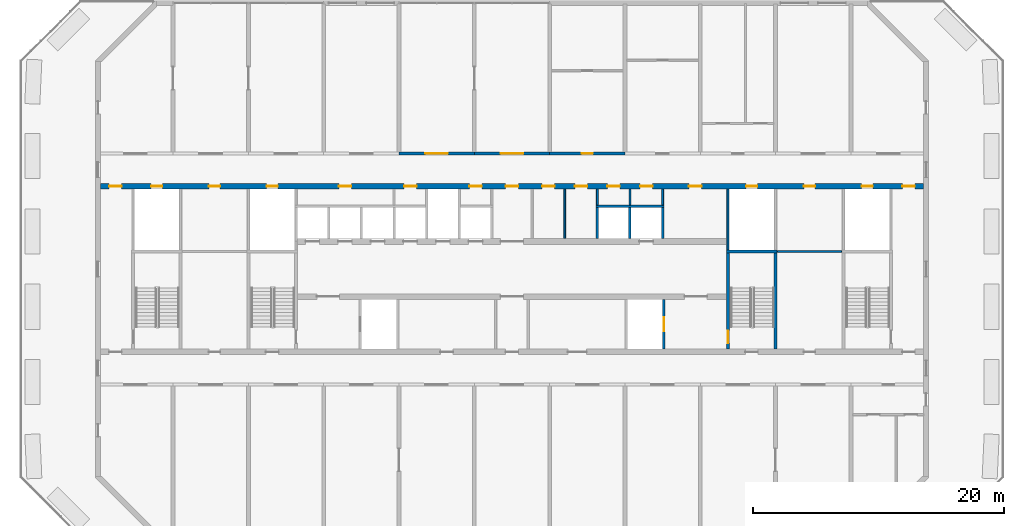
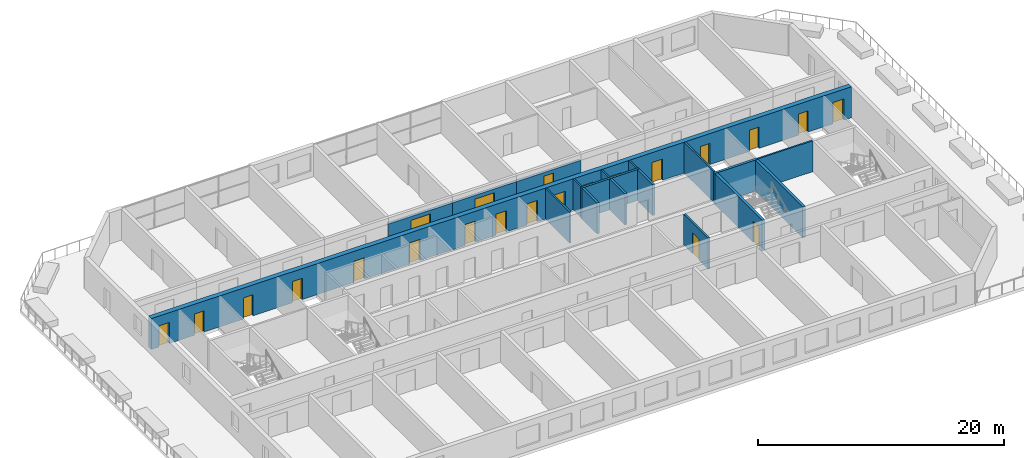
# One storey, part 7 of 14: 22 doors, 18 walls, 22 openings.
"""IFC4 building model written with IfcOpenShell, lengths in metres."""

from ifc_helpers import new_model, si_unit, direction, frame, frame_2d, origin, place, context, subcontext, project, spatial, rectangle, extrude, material, layer, layer_set, type_object, element, fill, save


model = new_model("IFC4")

# Units and contexts
model_context = context("Model", 3, precision=1e-05, world=origin(), true_north=direction((0.0, 1.0)))
body_context = subcontext(model_context, "Body", "Model", "MODEL_VIEW")
ifc_project = project(units=[si_unit("LENGTHUNIT", "METRE"), si_unit("AREAUNIT", "SQUARE_METRE"), si_unit("VOLUMEUNIT", "CUBIC_METRE"), si_unit("PLANEANGLEUNIT", "RADIAN"), si_unit("MASSUNIT", "GRAM", prefix="KILO")], contexts=[model_context])

# Site, building, storey
site_placement = place(None, origin())
site = spatial("IfcSite", under=ifc_project, at=site_placement, CompositionType="ELEMENT")
building_placement = place(site_placement, origin())
building = spatial("IfcBuilding", under=site, at=building_placement, Name="Poui Terraces", CompositionType="ELEMENT")
storey_placement = place(building_placement, frame((0.0, 0.0, 158.699951171875)))
storey = spatial("IfcBuildingStorey", under=building, at=storey_placement, Name="L44", CompositionType="ELEMENT", Elevation=158.699951171875)

# Wall, opening, door
ifc_material_1 = material(Name="Concrete 65 MPa", Category="concrete")
ifc_layer_1 = layer(ifc_material_1, 0.25)
ifc_layer_set_1 = layer_set([ifc_layer_1], Name="Concrete 65 MPa")
wall_type_1 = type_object("IfcWallType", Name="CORRIDOR WALL 250 65MPa", PredefinedType="SHEAR", material=ifc_layer_set_1)
wall_1_placement = place(storey_placement, frame((42.0, 30.39990234375, 0.0), z_axis=(0.0, 0.0, 1.0), x_axis=(1.0, 0.0, 0.0)))
wall_1 = element("IfcWall", 1, at=wall_1_placement, inside=storey, type_object=wall_type_1, Name="CORRIDOR WALL LINE E BAY 5", PredefinedType="SHEAR", context=body_context, shape_type="SweptSolid", body=[
    extrude(rectangle(XDim=6.0, YDim=0.25, at=frame_2d((3.0, 0.0))), origin(), (0.0, 0.0, 1.0), 2.469970703125),
])
opening_1_placement = place(wall_1_placement, frame((2.10009765625, 0.0, 0.0)))
opening_1 = element("IfcOpeningElement", 2, at=opening_1_placement, cuts=wall_1, Name="Opening DD180", PredefinedType="OPENING", context=body_context, shape_type="SweptSolid", body=[
    extrude(rectangle(XDim=1.800048828125, YDim=2.10009765625, at=frame_2d((0.89990234375, 1.050048828125))), frame((0.0, 0.135009765625, 0.0), z_axis=(0.0, -1.0, 0.0), x_axis=(1.0, 0.0, 0.0)), (0.0, 0.0, 1.0), 0.27001953125),
])
ifc_material_2 = material(Name="Steel fire door", Category="steel")
door_type_1 = type_object("IfcDoorType", Name="DOUBLE INTERNAL DOOR 1800 X 2100", OperationType="DOUBLE_DOOR_SINGLE_SWING", PredefinedType="DOOR", material=ifc_material_2)
door_1_placement = place(opening_1_placement, frame((1.800048828125, 0.0, 0.0), z_axis=(0.0, 0.0, 1.0), x_axis=(-1.0, 0.0, 0.0)))
door_1 = element("IfcDoor", 3, at=door_1_placement, inside=storey, type_object=door_type_1, Name="DOUBLE INTERNAL DOOR 011", OperationType="DOUBLE_DOOR_SINGLE_SWING", OverallHeight=2.10009765625, OverallWidth=1.800048828125, PredefinedType="DOOR", context=body_context, shape_type="SweptSolid", body=[
    extrude(rectangle(XDim=1.800048828125, YDim=2.10009765625, at=frame_2d((0.89990234375, 1.050048828125))), frame((0.0, 0.02490234375, 0.0), z_axis=(0.0, -1.0, 0.0), x_axis=(1.0, 0.0, 0.0)), (0.0, 0.0, 1.0), 0.050048828125),
])
fill(opening_1, door_1)

wall_2_placement = place(storey_placement, frame((48.0, 30.39990234375, 0.0), z_axis=(0.0, 0.0, 1.0), x_axis=(1.0, 0.0, 0.0)))
wall_2 = element("IfcWall", 4, at=wall_2_placement, inside=storey, type_object=wall_type_1, Name="CORRIDOR WALL LINE E BAY 6", PredefinedType="SHEAR", context=body_context, shape_type="SweptSolid", body=[
    extrude(rectangle(XDim=6.0, YDim=0.25, at=frame_2d((3.0, 0.0))), origin(), (0.0, 0.0, 1.0), 2.469970703125),
])
opening_2_placement = place(wall_2_placement, frame((2.10009765625, 0.0, 0.0)))
opening_2 = element("IfcOpeningElement", 5, at=opening_2_placement, cuts=wall_2, Name="Opening DD180", PredefinedType="OPENING", context=body_context, shape_type="SweptSolid", body=[
    extrude(rectangle(XDim=1.800048828125, YDim=2.10009765625, at=frame_2d((0.89990234375, 1.050048828125))), frame((0.0, 0.135009765625, 0.0), z_axis=(0.0, -1.0, 0.0), x_axis=(1.0, 0.0, 0.0)), (0.0, 0.0, 1.0), 0.27001953125),
])
door_2_placement = place(opening_2_placement, frame((1.800048828125, 0.0, 0.0), z_axis=(0.0, 0.0, 1.0), x_axis=(-1.0, 0.0, 0.0)))
door_2 = element("IfcDoor", 6, at=door_2_placement, inside=storey, type_object=door_type_1, Name="DOUBLE INTERNAL DOOR 014", OperationType="DOUBLE_DOOR_SINGLE_SWING", OverallHeight=2.10009765625, OverallWidth=1.800048828125, PredefinedType="DOOR", context=body_context, shape_type="SweptSolid", body=[
    extrude(rectangle(XDim=1.800048828125, YDim=2.10009765625, at=frame_2d((0.89990234375, 1.050048828125))), frame((0.0, 0.02490234375, 0.0), z_axis=(0.0, -1.0, 0.0), x_axis=(1.0, 0.0, 0.0)), (0.0, 0.0, 1.0), 0.050048828125),
])
fill(opening_2, door_2)

wall_3_placement = place(storey_placement, frame((54.0, 30.39990234375, 0.0), z_axis=(0.0, 0.0, 1.0), x_axis=(1.0, 0.0, 0.0)))
wall_3 = element("IfcWall", 7, at=wall_3_placement, inside=storey, type_object=wall_type_1, Name="CORRIDOR WALL LINE E BAY 7", PredefinedType="SHEAR", context=body_context, shape_type="SweptSolid", body=[
    extrude(rectangle(XDim=6.0, YDim=0.25, at=frame_2d((3.0, 0.0))), origin(), (0.0, 0.0, 1.0), 2.469970703125),
])
opening_3_placement = place(wall_3_placement, frame((2.550048828125, 0.0, 0.0)))
opening_3 = element("IfcOpeningElement", 8, at=opening_3_placement, cuts=wall_3, Name="Opening D90", PredefinedType="OPENING", context=body_context, shape_type="SweptSolid", body=[
    extrude(rectangle(XDim=0.89990234375, YDim=2.10009765625, at=frame_2d((0.449951171875, 1.050048828125))), frame((0.0, 0.135009765625, 0.0), z_axis=(0.0, -1.0, 0.0), x_axis=(1.0, 0.0, 0.0)), (0.0, 0.0, 1.0), 0.27001953125),
])
ifc_material_3 = material(Name="Solid core timber door", Category="wood")
door_type_2 = type_object("IfcDoorType", Name="INTERNAL DOOR 900 X 2100", OperationType="NOTDEFINED", PredefinedType="DOOR", material=ifc_material_3)
door_3_placement = place(opening_3_placement, frame((0.89990234375, 0.0, 0.0), z_axis=(0.0, 0.0, 1.0), x_axis=(-1.0, 0.0, 0.0)))
door_3 = element("IfcDoor", 9, at=door_3_placement, inside=storey, type_object=door_type_2, Name="INTERNAL DOOR 017", OperationType="SINGLE_SWING_RIGHT", OverallHeight=2.10009765625, OverallWidth=0.89990234375, PredefinedType="DOOR", context=body_context, shape_type="SweptSolid", body=[
    extrude(rectangle(XDim=0.89990234375, YDim=2.10009765625, at=frame_2d((0.449951171875, 1.050048828125))), frame((0.0, 0.02490234375, 0.0), z_axis=(0.0, -1.0, 0.0), x_axis=(1.0, 0.0, 0.0)), (0.0, 0.0, 1.0), 0.050048828125),
])
fill(opening_3, door_3)

# Walls
ifc_material_4 = material(Name="Plasterboard partition")
ifc_layer_2 = layer(ifc_material_4, 0.14990234375)
ifc_layer_set_2 = layer_set([ifc_layer_2], Name="Plasterboard partition")
wall_type_2 = type_object("IfcWallType", Name="PARTITION WALL 150", PredefinedType="PARTITIONING", material=ifc_layer_set_2)
wall_4_placement = place(storey_placement, frame((72.135009765625, 22.60009765625, 0.0), z_axis=(0.0, 0.0, 1.0), x_axis=(1.0, 0.0, 0.0)))
element("IfcWall", 10, at=wall_4_placement, inside=storey, type_object=wall_type_2, Name="PARTITION WALL 150", PredefinedType="PARTITIONING", context=body_context, shape_type="SweptSolid", body=[
    extrude(rectangle(XDim=5.1298828125, YDim=0.14990234375, at=frame_2d((2.56494140625, 0.0))), origin(), (0.0, 0.0, 1.0), 3.070068359375),
])
wall_5_placement = place(storey_placement, frame((55.199951171875, 23.635009765625, 0.0), z_axis=(0.0, 0.0, 1.0), x_axis=(0.0, 1.0, 0.0)))
element("IfcWall", 11, at=wall_5_placement, inside=storey, type_object=wall_type_2, Name="PARTITION WALL 150", PredefinedType="PARTITIONING", context=body_context, shape_type="SweptSolid", body=[
    extrude(rectangle(XDim=3.929931640625, YDim=0.14990234375, at=frame_2d((1.96484375, 0.0))), origin(), (0.0, 0.0, 1.0), 3.070068359375),
])
for number, where, z_axis, x_axis, name in (
    (12, (57.800048828125, 26.300048828125, 0.0), (0.0, 0.0, 1.0), (0.0, 1.0, 0.0), "PARTITION WALL 150"),
    (13, (60.39990234375, 26.300048828125, 0.0), (0.0, 0.0, 1.0), (0.0, 1.0, 0.0), "PARTITION WALL 150"),
    (14, (63.0, 26.300048828125, 0.0), (0.0, 0.0, 1.0), (0.0, 1.0, 0.0), "PARTITION WALL 150"),
):
    element("IfcWall", number, at=place(storey_placement, frame(where, z_axis=z_axis, x_axis=x_axis)), inside=storey, type_object=wall_type_2, Name=name, PredefinedType="PARTITIONING", context=body_context, shape_type="SweptSolid", body=[
        extrude(rectangle(XDim=1.264892578125, YDim=0.14990234375, at=frame_2d((0.63232421875, 0.0))), origin(), (0.0, 0.0, 1.0), 3.070068359375),
    ])
ifc_material_5 = material(Name="Fire-rated plasterboard riser wall")
ifc_layer_3 = layer(ifc_material_5, 0.14990234375)
ifc_layer_set_3 = layer_set([ifc_layer_3], Name="Fire-rated plasterboard riser wall")
wall_type_3 = type_object("IfcWallType", Name="RISER WALL 150", PredefinedType="PARTITIONING", material=ifc_layer_set_3)
wall_6_placement = place(storey_placement, frame((68.199951171875, 22.735107421875, 0.0), z_axis=(0.0, 0.0, 1.0), x_axis=(0.0, 1.0, 0.0)))
element("IfcWall", 15, at=wall_6_placement, inside=storey, type_object=wall_type_3, Name="RISER WALL 150", PredefinedType="PARTITIONING", context=body_context, shape_type="SweptSolid", body=[
    extrude(rectangle(XDim=4.829833984375, YDim=0.14990234375, at=frame_2d((2.4150390625, 0.0))), origin(), (0.0, 0.0, 1.0), 3.070068359375),
])
ifc_material_6 = material(Name="Fire-rated masonry shaft wall", Category="masonry")
ifc_layer_4 = layer(ifc_material_6, 0.199951171875)
ifc_layer_set_4 = layer_set([ifc_layer_4], Name="Fire-rated masonry shaft wall")
wall_type_4 = type_object("IfcWallType", Name="SHAFT WALL 200", PredefinedType="PARTITIONING", material=ifc_layer_set_4)
wall_7_placement = place(storey_placement, frame((57.699951171875, 26.199951171875, 0.0), z_axis=(0.0, 0.0, 1.0), x_axis=(1.0, 0.0, 0.0)))
element("IfcWall", 16, at=wall_7_placement, inside=storey, type_object=wall_type_4, Name="SHAFT WALL 200", PredefinedType="PARTITIONING", context=body_context, shape_type="SweptSolid", body=[
    extrude(rectangle(XDim=5.400146484375, YDim=0.199951171875, at=frame_2d((2.7001953125, 0.0))), origin(), (0.0, 0.0, 1.0), 3.070068359375),
])
for number, where, z_axis, x_axis, name in (
    (17, (57.800048828125, 23.635009765625, 0.0), (0.0, 0.0, 1.0), (0.0, 1.0, 0.0), "SHAFT WALL 200"),
    (18, (60.39990234375, 23.635009765625, 0.0), (0.0, 0.0, 1.0), (0.0, 1.0, 0.0), "SHAFT WALL 200"),
    (19, (63.0, 23.635009765625, 0.0), (0.0, 0.0, 1.0), (0.0, 1.0, 0.0), "SHAFT WALL 200"),
):
    element("IfcWall", number, at=place(storey_placement, frame(where, z_axis=z_axis, x_axis=x_axis)), inside=storey, type_object=wall_type_4, Name=name, PredefinedType="PARTITIONING", context=body_context, shape_type="SweptSolid", body=[
        extrude(rectangle(XDim=2.465087890625, YDim=0.199951171875, at=frame_2d((1.232421875, 0.0))), origin(), (0.0, 0.0, 1.0), 3.070068359375),
    ])

# Wall, opening, door
wall_8_placement = place(storey_placement, frame((63.10009765625, 14.8349609375, 0.0), z_axis=(0.0, 0.0, 1.0), x_axis=(0.0, 1.0, 0.0)))
wall_8 = element("IfcWall", 20, at=wall_8_placement, inside=storey, type_object=wall_type_4, Name="SHAFT WALL 200", PredefinedType="PARTITIONING", context=body_context, shape_type="SweptSolid", body=[
    extrude(rectangle(XDim=3.929931640625, YDim=0.199951171875, at=frame_2d((1.96484375, 0.0))), origin(), (0.0, 0.0, 1.0), 3.070068359375),
])
opening_4_placement = place(wall_8_placement, frame((1.4150390625, 0.0, 0.0)))
opening_4 = element("IfcOpeningElement", 21, at=opening_4_placement, cuts=wall_8, Name="Opening LD", PredefinedType="OPENING", context=body_context, shape_type="SweptSolid", body=[
    extrude(rectangle(XDim=1.10009765625, YDim=2.10009765625, at=frame_2d((0.550048828125, 1.050048828125))), frame((0.0, 0.10986328125, 0.0), z_axis=(0.0, -1.0, 0.0), x_axis=(1.0, 0.0, 0.0)), (0.0, 0.0, 1.0), 0.219970703125),
])
ifc_material_7 = material(Name="Stainless steel sliding door", Category="steel")
door_type_3 = type_object("IfcDoorType", Name="LIFT LANDING DOOR 1100 X 2100", OperationType="DOUBLE_DOOR_SLIDING", PredefinedType="DOOR", material=ifc_material_7)
door_4_placement = place(opening_4_placement, origin())
door_4 = element("IfcDoor", 22, at=door_4_placement, inside=storey, type_object=door_type_3, Name="LANDING DOOR", OperationType="DOUBLE_DOOR_SLIDING", OverallHeight=2.10009765625, OverallWidth=1.10009765625, PredefinedType="DOOR", context=body_context, shape_type="SweptSolid", body=[
    extrude(rectangle(XDim=1.10009765625, YDim=2.10009765625, at=frame_2d((0.550048828125, 1.050048828125))), frame((0.0, 0.02490234375, 0.0), z_axis=(0.0, -1.0, 0.0), x_axis=(1.0, 0.0, 0.0)), (0.0, 0.0, 1.0), 0.050048828125),
])
fill(opening_4, door_4)

# Wall, openings, doors
ifc_layer_5 = layer(ifc_material_1, 0.449951171875)
ifc_layer_set_5 = layer_set([ifc_layer_5], Name="Concrete 65 MPa")
wall_type_5 = type_object("IfcWallType", Name="SPINE WALL 450 65 MPA", PredefinedType="SOLIDWALL", material=ifc_layer_set_5)
wall_9_placement = place(storey_placement, frame((18.199951171875, 27.800048828125, 0.0), z_axis=(0.0, 0.0, 1.0), x_axis=(1.0, 0.0, 0.0)))
wall_9 = element("IfcWall", 23, at=wall_9_placement, inside=storey, type_object=wall_type_5, Name="SPINE WALL", PredefinedType="SOLIDWALL", context=body_context, shape_type="SweptSolid", body=[
    extrude(rectangle(XDim=65.60009765625, YDim=0.449951171875, at=frame_2d((32.800048828125, 0.0))), origin(), (0.0, 0.0, 1.0), 3.070068359375),
])
opening_5_placement = place(wall_9_placement, frame((0.699951171875, 0.0, 0.0)))
opening_5 = element("IfcOpeningElement", 24, at=opening_5_placement, cuts=wall_9, Name="Opening FDL", PredefinedType="OPENING", context=body_context, shape_type="SweptSolid", body=[
    extrude(rectangle(XDim=1.0, YDim=2.10009765625, at=frame_2d((0.5, 1.050048828125))), frame((0.0, 0.23486328125, 0.0), z_axis=(0.0, -1.0, 0.0), x_axis=(1.0, 0.0, 0.0)), (0.0, 0.0, 1.0), 0.469970703125),
])
opening_6_placement = place(wall_9_placement, frame((4.050048828125, 0.0, 0.0)))
opening_6 = element("IfcOpeningElement", 25, at=opening_6_placement, cuts=wall_9, Name="Opening FDR", PredefinedType="OPENING", context=body_context, shape_type="SweptSolid", body=[
    extrude(rectangle(XDim=0.89990234375, YDim=2.10009765625, at=frame_2d((0.449951171875, 1.050048828125))), frame((0.0, 0.23486328125, 0.0), z_axis=(0.0, -1.0, 0.0), x_axis=(1.0, 0.0, 0.0)), (0.0, 0.0, 1.0), 0.469970703125),
])
opening_7_placement = place(wall_9_placement, frame((8.64990234375, 0.0, 0.0)))
opening_7 = element("IfcOpeningElement", 26, at=opening_7_placement, cuts=wall_9, Name="Opening D90", PredefinedType="OPENING", context=body_context, shape_type="SweptSolid", body=[
    extrude(rectangle(XDim=0.89990234375, YDim=2.10009765625, at=frame_2d((0.449951171875, 1.050048828125))), frame((0.0, 0.23486328125, 0.0), z_axis=(0.0, -1.0, 0.0), x_axis=(1.0, 0.0, 0.0)), (0.0, 0.0, 1.0), 0.469970703125),
])
opening_8_placement = place(wall_9_placement, frame((13.25, 0.0, 0.0)))
opening_8 = element("IfcOpeningElement", 27, at=opening_8_placement, cuts=wall_9, Name="Opening FDR", PredefinedType="OPENING", context=body_context, shape_type="SweptSolid", body=[
    extrude(rectangle(XDim=0.89990234375, YDim=2.10009765625, at=frame_2d((0.449951171875, 1.050048828125))), frame((0.0, 0.23486328125, 0.0), z_axis=(0.0, -1.0, 0.0), x_axis=(1.0, 0.0, 0.0)), (0.0, 0.0, 1.0), 0.469970703125),
])
opening_9_placement = place(wall_9_placement, frame((19.0, 0.0, 0.0)))
opening_9 = element("IfcOpeningElement", 28, at=opening_9_placement, cuts=wall_9, Name="Opening FD60", PredefinedType="OPENING", context=body_context, shape_type="SweptSolid", body=[
    extrude(rectangle(XDim=1.0, YDim=2.10009765625, at=frame_2d((0.5, 1.050048828125))), frame((0.0, 0.23486328125, 0.0), z_axis=(0.0, -1.0, 0.0), x_axis=(1.0, 0.0, 0.0)), (0.0, 0.0, 1.0), 0.469970703125),
])
opening_10_placement = place(wall_9_placement, frame((24.199951171875, 0.0, 0.0)))
opening_10 = element("IfcOpeningElement", 29, at=opening_10_placement, cuts=wall_9, Name="Opening FD60", PredefinedType="OPENING", context=body_context, shape_type="SweptSolid", body=[
    extrude(rectangle(XDim=1.0, YDim=2.10009765625, at=frame_2d((0.5, 1.050048828125))), frame((0.0, 0.23486328125, 0.0), z_axis=(0.0, -1.0, 0.0), x_axis=(1.0, 0.0, 0.0)), (0.0, 0.0, 1.0), 0.469970703125),
])
opening_11_placement = place(wall_9_placement, frame((29.39990234375, 0.0, 0.0)))
opening_11 = element("IfcOpeningElement", 30, at=opening_11_placement, cuts=wall_9, Name="Opening FD60", PredefinedType="OPENING", context=body_context, shape_type="SweptSolid", body=[
    extrude(rectangle(XDim=1.0, YDim=2.10009765625, at=frame_2d((0.5, 1.050048828125))), frame((0.0, 0.23486328125, 0.0), z_axis=(0.0, -1.0, 0.0), x_axis=(1.0, 0.0, 0.0)), (0.0, 0.0, 1.0), 0.469970703125),
])
opening_12_placement = place(wall_9_placement, frame((32.300048828125, 0.0, 0.0)))
opening_12 = element("IfcOpeningElement", 31, at=opening_12_placement, cuts=wall_9, Name="Opening FDL", PredefinedType="OPENING", context=body_context, shape_type="SweptSolid", body=[
    extrude(rectangle(XDim=1.0, YDim=2.10009765625, at=frame_2d((0.5, 1.050048828125))), frame((0.0, 0.23486328125, 0.0), z_axis=(0.0, -1.0, 0.0), x_axis=(1.0, 0.0, 0.0)), (0.0, 0.0, 1.0), 0.469970703125),
])
opening_13_placement = place(wall_9_placement, frame((35.199951171875, 0.0, 0.0)))
opening_13 = element("IfcOpeningElement", 32, at=opening_13_placement, cuts=wall_9, Name="Opening FD60", PredefinedType="OPENING", context=body_context, shape_type="SweptSolid", body=[
    extrude(rectangle(XDim=1.0, YDim=2.10009765625, at=frame_2d((0.5, 1.050048828125))), frame((0.0, 0.23486328125, 0.0), z_axis=(0.0, -1.0, 0.0), x_axis=(1.0, 0.0, 0.0)), (0.0, 0.0, 1.0), 0.469970703125),
])
opening_14_placement = place(wall_9_placement, frame((37.800048828125, 0.0, 0.0)))
opening_14 = element("IfcOpeningElement", 33, at=opening_14_placement, cuts=wall_9, Name="Opening FD60", PredefinedType="OPENING", context=body_context, shape_type="SweptSolid", body=[
    extrude(rectangle(XDim=1.0, YDim=2.10009765625, at=frame_2d((0.5, 1.050048828125))), frame((0.0, 0.23486328125, 0.0), z_axis=(0.0, -1.0, 0.0), x_axis=(1.0, 0.0, 0.0)), (0.0, 0.0, 1.0), 0.469970703125),
])
opening_15_placement = place(wall_9_placement, frame((40.39990234375, 0.0, 0.0)))
opening_15 = element("IfcOpeningElement", 34, at=opening_15_placement, cuts=wall_9, Name="Opening FD60", PredefinedType="OPENING", context=body_context, shape_type="SweptSolid", body=[
    extrude(rectangle(XDim=1.0, YDim=2.10009765625, at=frame_2d((0.5, 1.050048828125))), frame((0.0, 0.23486328125, 0.0), z_axis=(0.0, -1.0, 0.0), x_axis=(1.0, 0.0, 0.0)), (0.0, 0.0, 1.0), 0.469970703125),
])
opening_16_placement = place(wall_9_placement, frame((43.0, 0.0, 0.0)))
opening_16 = element("IfcOpeningElement", 35, at=opening_16_placement, cuts=wall_9, Name="Opening FD60", PredefinedType="OPENING", context=body_context, shape_type="SweptSolid", body=[
    extrude(rectangle(XDim=1.0, YDim=2.10009765625, at=frame_2d((0.5, 1.050048828125))), frame((0.0, 0.23486328125, 0.0), z_axis=(0.0, -1.0, 0.0), x_axis=(1.0, 0.0, 0.0)), (0.0, 0.0, 1.0), 0.469970703125),
])
opening_17_placement = place(wall_9_placement, frame((46.89990234375, 0.0, 0.0)))
opening_17 = element("IfcOpeningElement", 36, at=opening_17_placement, cuts=wall_9, Name="Opening FD60", PredefinedType="OPENING", context=body_context, shape_type="SweptSolid", body=[
    extrude(rectangle(XDim=1.0, YDim=2.10009765625, at=frame_2d((0.5, 1.050048828125))), frame((0.0, 0.23486328125, 0.0), z_axis=(0.0, -1.0, 0.0), x_axis=(1.0, 0.0, 0.0)), (0.0, 0.0, 1.0), 0.469970703125),
])
opening_18_placement = place(wall_9_placement, frame((51.449951171875, 0.0, 0.0)))
opening_18 = element("IfcOpeningElement", 37, at=opening_18_placement, cuts=wall_9, Name="Opening FDR", PredefinedType="OPENING", context=body_context, shape_type="SweptSolid", body=[
    extrude(rectangle(XDim=0.89990234375, YDim=2.10009765625, at=frame_2d((0.449951171875, 1.050048828125))), frame((0.0, 0.23486328125, 0.0), z_axis=(0.0, -1.0, 0.0), x_axis=(1.0, 0.0, 0.0)), (0.0, 0.0, 1.0), 0.469970703125),
])
opening_19_placement = place(wall_9_placement, frame((56.050048828125, 0.0, 0.0)))
opening_19 = element("IfcOpeningElement", 38, at=opening_19_placement, cuts=wall_9, Name="Opening D90", PredefinedType="OPENING", context=body_context, shape_type="SweptSolid", body=[
    extrude(rectangle(XDim=0.89990234375, YDim=2.10009765625, at=frame_2d((0.449951171875, 1.050048828125))), frame((0.0, 0.23486328125, 0.0), z_axis=(0.0, -1.0, 0.0), x_axis=(1.0, 0.0, 0.0)), (0.0, 0.0, 1.0), 0.469970703125),
])
opening_20_placement = place(wall_9_placement, frame((60.64990234375, 0.0, 0.0)))
opening_20 = element("IfcOpeningElement", 39, at=opening_20_placement, cuts=wall_9, Name="Opening FDR", PredefinedType="OPENING", context=body_context, shape_type="SweptSolid", body=[
    extrude(rectangle(XDim=0.89990234375, YDim=2.10009765625, at=frame_2d((0.449951171875, 1.050048828125))), frame((0.0, 0.23486328125, 0.0), z_axis=(0.0, -1.0, 0.0), x_axis=(1.0, 0.0, 0.0)), (0.0, 0.0, 1.0), 0.469970703125),
])
opening_21_placement = place(wall_9_placement, frame((63.89990234375, 0.0, 0.0)))
opening_21 = element("IfcOpeningElement", 40, at=opening_21_placement, cuts=wall_9, Name="Opening FDL", PredefinedType="OPENING", context=body_context, shape_type="SweptSolid", body=[
    extrude(rectangle(XDim=1.0, YDim=2.10009765625, at=frame_2d((0.5, 1.050048828125))), frame((0.0, 0.23486328125, 0.0), z_axis=(0.0, -1.0, 0.0), x_axis=(1.0, 0.0, 0.0)), (0.0, 0.0, 1.0), 0.469970703125),
])
door_5_placement = place(opening_7_placement, origin())
door_5 = element("IfcDoor", 41, at=door_5_placement, inside=storey, type_object=door_type_2, Name="INTERNAL DOOR 005", OperationType="SINGLE_SWING_RIGHT", OverallHeight=2.10009765625, OverallWidth=0.89990234375, PredefinedType="DOOR", context=body_context, shape_type="SweptSolid", body=[
    extrude(rectangle(XDim=0.89990234375, YDim=2.10009765625, at=frame_2d((0.449951171875, 1.050048828125))), frame((0.0, 0.02490234375, 0.0), z_axis=(0.0, -1.0, 0.0), x_axis=(1.0, 0.0, 0.0)), (0.0, 0.0, 1.0), 0.050048828125),
])
fill(opening_7, door_5)
door_6_placement = place(opening_19_placement, origin())
door_6 = element("IfcDoor", 42, at=door_6_placement, inside=storey, type_object=door_type_2, Name="INTERNAL DOOR 024", OperationType="SINGLE_SWING_RIGHT", OverallHeight=2.10009765625, OverallWidth=0.89990234375, PredefinedType="DOOR", context=body_context, shape_type="SweptSolid", body=[
    extrude(rectangle(XDim=0.89990234375, YDim=2.10009765625, at=frame_2d((0.449951171875, 1.050048828125))), frame((0.0, 0.02490234375, 0.0), z_axis=(0.0, -1.0, 0.0), x_axis=(1.0, 0.0, 0.0)), (0.0, 0.0, 1.0), 0.050048828125),
])
fill(opening_19, door_6)
door_type_4 = type_object("IfcDoorType", Name="LOBBY FIRE DOOR 1000 X 2100", OperationType="NOTDEFINED", PredefinedType="DOOR", material=ifc_material_2)
door_7_placement = place(opening_5_placement, origin())
door_7 = element("IfcDoor", 43, at=door_7_placement, inside=storey, type_object=door_type_4, Name="LOBBY FIRE DOOR 001", OperationType="SINGLE_SWING_LEFT", OverallHeight=2.10009765625, OverallWidth=1.0, PredefinedType="DOOR", context=body_context, shape_type="SweptSolid", body=[
    extrude(rectangle(XDim=1.0, YDim=2.10009765625, at=frame_2d((0.5, 1.050048828125))), frame((0.0, 0.02490234375, 0.0), z_axis=(0.0, -1.0, 0.0), x_axis=(1.0, 0.0, 0.0)), (0.0, 0.0, 1.0), 0.050048828125),
])
fill(opening_5, door_7)
door_8_placement = place(opening_12_placement, origin())
door_8 = element("IfcDoor", 44, at=door_8_placement, inside=storey, type_object=door_type_4, Name="LOBBY FIRE DOOR 013", OperationType="SINGLE_SWING_RIGHT", OverallHeight=2.10009765625, OverallWidth=1.0, PredefinedType="DOOR", context=body_context, shape_type="SweptSolid", body=[
    extrude(rectangle(XDim=1.0, YDim=2.10009765625, at=frame_2d((0.5, 1.050048828125))), frame((0.0, 0.02490234375, 0.0), z_axis=(0.0, -1.0, 0.0), x_axis=(1.0, 0.0, 0.0)), (0.0, 0.0, 1.0), 0.050048828125),
])
fill(opening_12, door_8)
door_9_placement = place(opening_21_placement, origin())
door_9 = element("IfcDoor", 45, at=door_9_placement, inside=storey, type_object=door_type_4, Name="LOBBY FIRE DOOR 028", OperationType="SINGLE_SWING_RIGHT", OverallHeight=2.10009765625, OverallWidth=1.0, PredefinedType="DOOR", context=body_context, shape_type="SweptSolid", body=[
    extrude(rectangle(XDim=1.0, YDim=2.10009765625, at=frame_2d((0.5, 1.050048828125))), frame((0.0, 0.02490234375, 0.0), z_axis=(0.0, -1.0, 0.0), x_axis=(1.0, 0.0, 0.0)), (0.0, 0.0, 1.0), 0.050048828125),
])
fill(opening_21, door_9)
door_type_5 = type_object("IfcDoorType", Name="RISER CUPBOARD DOOR 900 X 2100", OperationType="NOTDEFINED", PredefinedType="DOOR", material=ifc_material_2)
door_10_placement = place(opening_6_placement, origin())
door_10 = element("IfcDoor", 46, at=door_10_placement, inside=storey, type_object=door_type_5, Name="RISER CUPBOARD DOOR 003", OperationType="SINGLE_SWING_LEFT", OverallHeight=2.10009765625, OverallWidth=0.89990234375, PredefinedType="DOOR", context=body_context, shape_type="SweptSolid", body=[
    extrude(rectangle(XDim=0.89990234375, YDim=2.10009765625, at=frame_2d((0.449951171875, 1.050048828125))), frame((0.0, 0.02490234375, 0.0), z_axis=(0.0, -1.0, 0.0), x_axis=(1.0, 0.0, 0.0)), (0.0, 0.0, 1.0), 0.050048828125),
])
fill(opening_6, door_10)
door_11_placement = place(opening_8_placement, origin())
door_11 = element("IfcDoor", 47, at=door_11_placement, inside=storey, type_object=door_type_5, Name="RISER CUPBOARD DOOR 006", OperationType="SINGLE_SWING_LEFT", OverallHeight=2.10009765625, OverallWidth=0.89990234375, PredefinedType="DOOR", context=body_context, shape_type="SweptSolid", body=[
    extrude(rectangle(XDim=0.89990234375, YDim=2.10009765625, at=frame_2d((0.449951171875, 1.050048828125))), frame((0.0, 0.02490234375, 0.0), z_axis=(0.0, -1.0, 0.0), x_axis=(1.0, 0.0, 0.0)), (0.0, 0.0, 1.0), 0.050048828125),
])
fill(opening_8, door_11)
door_12_placement = place(opening_18_placement, origin())
door_12 = element("IfcDoor", 48, at=door_12_placement, inside=storey, type_object=door_type_5, Name="RISER CUPBOARD DOOR 023", OperationType="SINGLE_SWING_RIGHT", OverallHeight=2.10009765625, OverallWidth=0.89990234375, PredefinedType="DOOR", context=body_context, shape_type="SweptSolid", body=[
    extrude(rectangle(XDim=0.89990234375, YDim=2.10009765625, at=frame_2d((0.449951171875, 1.050048828125))), frame((0.0, 0.02490234375, 0.0), z_axis=(0.0, -1.0, 0.0), x_axis=(1.0, 0.0, 0.0)), (0.0, 0.0, 1.0), 0.050048828125),
])
fill(opening_18, door_12)
door_13_placement = place(opening_20_placement, origin())
door_13 = element("IfcDoor", 49, at=door_13_placement, inside=storey, type_object=door_type_5, Name="RISER CUPBOARD DOOR 026", OperationType="SINGLE_SWING_RIGHT", OverallHeight=2.10009765625, OverallWidth=0.89990234375, PredefinedType="DOOR", context=body_context, shape_type="SweptSolid", body=[
    extrude(rectangle(XDim=0.89990234375, YDim=2.10009765625, at=frame_2d((0.449951171875, 1.050048828125))), frame((0.0, 0.02490234375, 0.0), z_axis=(0.0, -1.0, 0.0), x_axis=(1.0, 0.0, 0.0)), (0.0, 0.0, 1.0), 0.050048828125),
])
fill(opening_20, door_13)
door_type_6 = type_object("IfcDoorType", Name="SERVICE ROOM FIRE DOOR 1000 X 2100", OperationType="NOTDEFINED", PredefinedType="DOOR", material=ifc_material_2)
door_14_placement = place(opening_9_placement, origin())
door_14 = element("IfcDoor", 50, at=door_14_placement, inside=storey, type_object=door_type_6, Name="SERVICE ROOM FIRE DOOR 008", OperationType="SINGLE_SWING_LEFT", OverallHeight=2.10009765625, OverallWidth=1.0, PredefinedType="DOOR", context=body_context, shape_type="SweptSolid", body=[
    extrude(rectangle(XDim=1.0, YDim=2.10009765625, at=frame_2d((0.5, 1.050048828125))), frame((0.0, 0.02490234375, 0.0), z_axis=(0.0, -1.0, 0.0), x_axis=(1.0, 0.0, 0.0)), (0.0, 0.0, 1.0), 0.050048828125),
])
fill(opening_9, door_14)
door_15_placement = place(opening_10_placement, origin())
door_15 = element("IfcDoor", 51, at=door_15_placement, inside=storey, type_object=door_type_6, Name="SERVICE ROOM FIRE DOOR 010", OperationType="SINGLE_SWING_RIGHT", OverallHeight=2.10009765625, OverallWidth=1.0, PredefinedType="DOOR", context=body_context, shape_type="SweptSolid", body=[
    extrude(rectangle(XDim=1.0, YDim=2.10009765625, at=frame_2d((0.5, 1.050048828125))), frame((0.0, 0.02490234375, 0.0), z_axis=(0.0, -1.0, 0.0), x_axis=(1.0, 0.0, 0.0)), (0.0, 0.0, 1.0), 0.050048828125),
])
fill(opening_10, door_15)
door_16_placement = place(opening_11_placement, origin())
door_16 = element("IfcDoor", 52, at=door_16_placement, inside=storey, type_object=door_type_6, Name="SERVICE ROOM FIRE DOOR 012", OperationType="SINGLE_SWING_LEFT", OverallHeight=2.10009765625, OverallWidth=1.0, PredefinedType="DOOR", context=body_context, shape_type="SweptSolid", body=[
    extrude(rectangle(XDim=1.0, YDim=2.10009765625, at=frame_2d((0.5, 1.050048828125))), frame((0.0, 0.02490234375, 0.0), z_axis=(0.0, -1.0, 0.0), x_axis=(1.0, 0.0, 0.0)), (0.0, 0.0, 1.0), 0.050048828125),
])
fill(opening_11, door_16)
door_17_placement = place(opening_13_placement, origin())
door_17 = element("IfcDoor", 53, at=door_17_placement, inside=storey, type_object=door_type_6, Name="SERVICE ROOM FIRE DOOR 015", OperationType="SINGLE_SWING_RIGHT", OverallHeight=2.10009765625, OverallWidth=1.0, PredefinedType="DOOR", context=body_context, shape_type="SweptSolid", body=[
    extrude(rectangle(XDim=1.0, YDim=2.10009765625, at=frame_2d((0.5, 1.050048828125))), frame((0.0, 0.02490234375, 0.0), z_axis=(0.0, -1.0, 0.0), x_axis=(1.0, 0.0, 0.0)), (0.0, 0.0, 1.0), 0.050048828125),
])
fill(opening_13, door_17)
door_18_placement = place(opening_14_placement, origin())
door_18 = element("IfcDoor", 54, at=door_18_placement, inside=storey, type_object=door_type_6, Name="SERVICE ROOM FIRE DOOR 016", OperationType="SINGLE_SWING_LEFT", OverallHeight=2.10009765625, OverallWidth=1.0, PredefinedType="DOOR", context=body_context, shape_type="SweptSolid", body=[
    extrude(rectangle(XDim=1.0, YDim=2.10009765625, at=frame_2d((0.5, 1.050048828125))), frame((0.0, 0.02490234375, 0.0), z_axis=(0.0, -1.0, 0.0), x_axis=(1.0, 0.0, 0.0)), (0.0, 0.0, 1.0), 0.050048828125),
])
fill(opening_14, door_18)
door_19_placement = place(opening_15_placement, origin())
door_19 = element("IfcDoor", 55, at=door_19_placement, inside=storey, type_object=door_type_6, Name="SERVICE ROOM FIRE DOOR 018", OperationType="SINGLE_SWING_RIGHT", OverallHeight=2.10009765625, OverallWidth=1.0, PredefinedType="DOOR", context=body_context, shape_type="SweptSolid", body=[
    extrude(rectangle(XDim=1.0, YDim=2.10009765625, at=frame_2d((0.5, 1.050048828125))), frame((0.0, 0.02490234375, 0.0), z_axis=(0.0, -1.0, 0.0), x_axis=(1.0, 0.0, 0.0)), (0.0, 0.0, 1.0), 0.050048828125),
])
fill(opening_15, door_19)
door_20_placement = place(opening_16_placement, origin())
door_20 = element("IfcDoor", 56, at=door_20_placement, inside=storey, type_object=door_type_6, Name="SERVICE ROOM FIRE DOOR 019", OperationType="SINGLE_SWING_LEFT", OverallHeight=2.10009765625, OverallWidth=1.0, PredefinedType="DOOR", context=body_context, shape_type="SweptSolid", body=[
    extrude(rectangle(XDim=1.0, YDim=2.10009765625, at=frame_2d((0.5, 1.050048828125))), frame((0.0, 0.02490234375, 0.0), z_axis=(0.0, -1.0, 0.0), x_axis=(1.0, 0.0, 0.0)), (0.0, 0.0, 1.0), 0.050048828125),
])
fill(opening_16, door_20)
door_21_placement = place(opening_17_placement, origin())
door_21 = element("IfcDoor", 57, at=door_21_placement, inside=storey, type_object=door_type_6, Name="SERVICE ROOM FIRE DOOR 021", OperationType="SINGLE_SWING_RIGHT", OverallHeight=2.10009765625, OverallWidth=1.0, PredefinedType="DOOR", context=body_context, shape_type="SweptSolid", body=[
    extrude(rectangle(XDim=1.0, YDim=2.10009765625, at=frame_2d((0.5, 1.050048828125))), frame((0.0, 0.02490234375, 0.0), z_axis=(0.0, -1.0, 0.0), x_axis=(1.0, 0.0, 0.0)), (0.0, 0.0, 1.0), 0.050048828125),
])
fill(opening_17, door_21)

# Wall, opening, door
ifc_layer_6 = layer(ifc_material_1, 0.25)
ifc_layer_set_6 = layer_set([ifc_layer_6], Name="Concrete 65 MPa")
wall_type_6 = type_object("IfcWallType", Name="STAIR CORE WALL 250 65 MPA", PredefinedType="SOLIDWALL", material=ifc_layer_set_6)
wall_10_placement = place(storey_placement, frame((68.199951171875, 14.824951171875, 0.0), z_axis=(0.0, 0.0, 1.0), x_axis=(0.0, 1.0, 0.0)))
wall_10 = element("IfcWall", 58, at=wall_10_placement, inside=storey, type_object=wall_type_6, Name="STAIR CORE WALL", PredefinedType="SOLIDWALL", context=body_context, shape_type="SweptSolid", body=[
    extrude(rectangle(XDim=7.650146484375, YDim=0.25, at=frame_2d((3.8251953125, 0.0))), origin(), (0.0, 0.0, 1.0), 3.070068359375),
])
opening_22_placement = place(wall_10_placement, frame((0.47509765625, 0.0, 0.0)))
opening_22 = element("IfcOpeningElement", 59, at=opening_22_placement, cuts=wall_10, Name="Opening FD60S", PredefinedType="OPENING", context=body_context, shape_type="SweptSolid", body=[
    extrude(rectangle(XDim=1.0, YDim=2.10009765625, at=frame_2d((0.5, 1.050048828125))), frame((0.0, 0.135009765625, 0.0), z_axis=(0.0, -1.0, 0.0), x_axis=(1.0, 0.0, 0.0)), (0.0, 0.0, 1.0), 0.27001953125),
])
door_type_7 = type_object("IfcDoorType", Name="STAIR DOOR 1000 X 2100", OperationType="NOTDEFINED", PredefinedType="DOOR", material=ifc_material_2)
door_22_placement = place(opening_22_placement, frame((1.0, 0.0, 0.0), z_axis=(0.0, 0.0, 1.0), x_axis=(-1.0, 0.0, 0.0)))
door_22 = element("IfcDoor", 60, at=door_22_placement, inside=storey, type_object=door_type_7, Name="STAIR DOOR 065", OperationType="SINGLE_SWING_LEFT", OverallHeight=2.10009765625, OverallWidth=1.0, PredefinedType="DOOR", context=body_context, shape_type="SweptSolid", body=[
    extrude(rectangle(XDim=1.0, YDim=2.10009765625, at=frame_2d((0.5, 1.050048828125))), frame((0.0, 0.02490234375, 0.0), z_axis=(0.0, -1.0, 0.0), x_axis=(1.0, 0.0, 0.0)), (0.0, 0.0, 1.0), 0.050048828125),
])
fill(opening_22, door_22)

# Walls
wall_11_placement = place(storey_placement, frame((72.0, 14.824951171875, 0.0), z_axis=(0.0, 0.0, 1.0), x_axis=(0.0, 1.0, 0.0)))
element("IfcWall", 61, at=wall_11_placement, inside=storey, type_object=wall_type_6, Name="STAIR CORE WALL", PredefinedType="SOLIDWALL", context=body_context, shape_type="SweptSolid", body=[
    extrude(rectangle(XDim=7.650146484375, YDim=0.25, at=frame_2d((3.8251953125, 0.0))), origin(), (0.0, 0.0, 1.0), 3.070068359375),
])
wall_12_placement = place(storey_placement, frame((68.074951171875, 22.60009765625, 0.0), z_axis=(0.0, 0.0, 1.0), x_axis=(1.0, 0.0, 0.0)))
element("IfcWall", 62, at=wall_12_placement, inside=storey, type_object=wall_type_6, Name="STAIR CORE WALL", PredefinedType="SOLIDWALL", context=body_context, shape_type="SweptSolid", body=[
    extrude(rectangle(XDim=4.050048828125, YDim=0.25, at=frame_2d((2.02490234375, 0.0))), origin(), (0.0, 0.0, 1.0), 3.070068359375),
])

save(model, "model.ifc")
